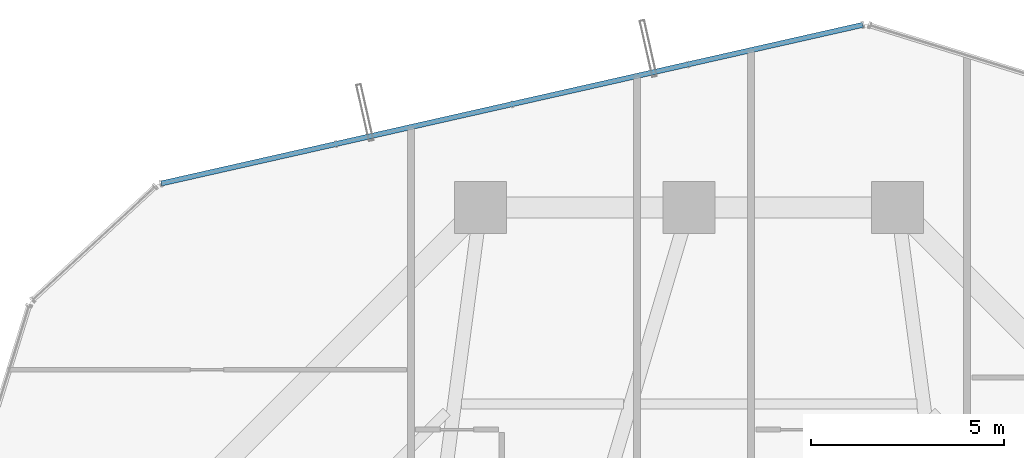
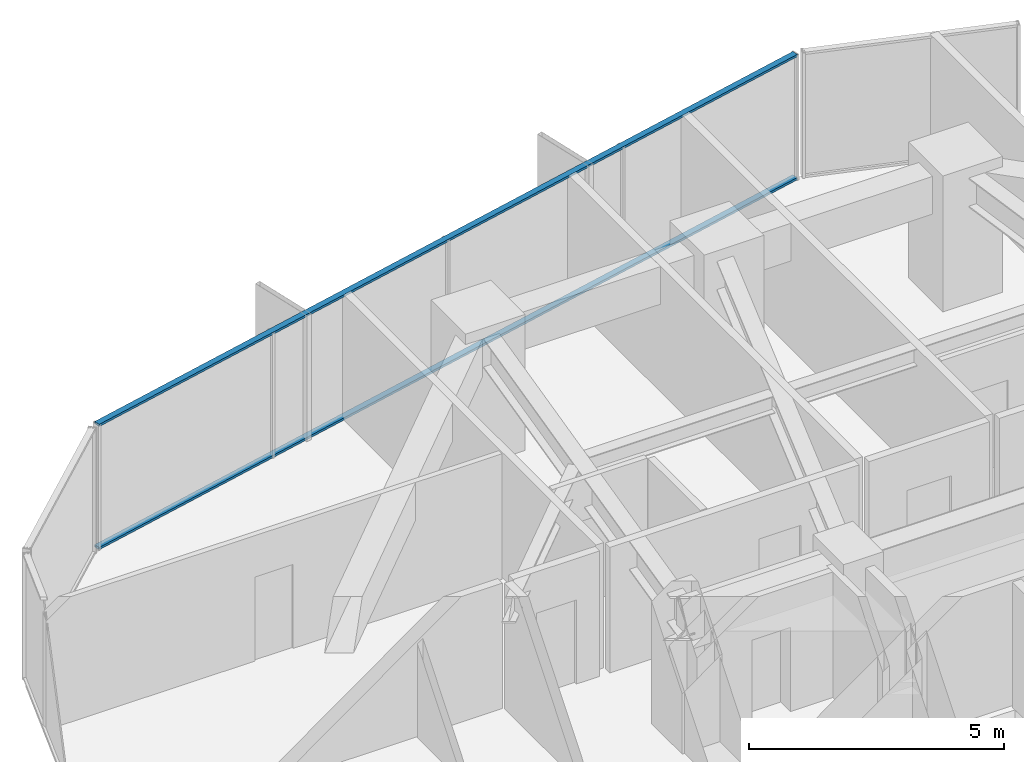
# One storey, part 27 of 39: 2 members, 1 element without a shape of its own.
"""IFC4 building model written with IfcOpenShell, lengths in metres."""

from ifc_helpers import new_model, si_unit, direction, frame, origin, origin_2d, place, context, subcontext, project, spatial, hollow_rectangle, extrude, source, transform, mapped, material, layer, layer_set, material_profile, profile_set, type_object, element, aggregate, save


model = new_model("IFC4")

# Units and contexts
model_context = context("Model", 3, precision=1e-05, world=origin(), true_north=direction((0.0, 1.0)))
body_context = subcontext(model_context, "Body", "Model", "MODEL_VIEW")
ifc_project = project(units=[si_unit("LENGTHUNIT", "METRE"), si_unit("AREAUNIT", "SQUARE_METRE"), si_unit("VOLUMEUNIT", "CUBIC_METRE"), si_unit("PLANEANGLEUNIT", "RADIAN"), si_unit("MASSUNIT", "GRAM", prefix="KILO")], contexts=[model_context])

# Site, building, storey
site_placement = place(None, origin())
site = spatial("IfcSite", under=ifc_project, at=site_placement, CompositionType="ELEMENT")
building_placement = place(site_placement, origin())
building = spatial("IfcBuilding", under=site, at=building_placement, Name="Veraguas Prism Commons", CompositionType="ELEMENT")
storey_placement = place(building_placement, frame((0.0, 0.0, 67.35009765625)))
storey = spatial("IfcBuildingStorey", under=building, at=storey_placement, Name="L18", CompositionType="ELEMENT", Elevation=67.35009765625)

# Curtain wall, members
ifc_material = material(Name="Anodised aluminium EN AW-6063 T6", Category="aluminium")
ifc_layer = layer(ifc_material, 0.169921875, Name="Unitised Flush Curtain Wall Zone 1", Category="aluminium")
ifc_layer_set = layer_set([ifc_layer], Name="Anodised aluminium EN AW-6063 T6")
curtain_wall_type = type_object("IfcCurtainWallType", Name="Unitised Flush Curtain Wall Zone 1", PredefinedType="NOTDEFINED", material=ifc_layer_set)
curtain_wall_placement = place(storey_placement, origin())
curtain_wall = element("IfcCurtainWall", 1, at=curtain_wall_placement, inside=storey, type_object=curtain_wall_type, Name="Tower Facade Curtain Wall L18-F2", PredefinedType="NOTDEFINED")
ifc_material_profile = material_profile(ifc_material, hollow_rectangle(XDim=0.054931640625, YDim=0.135009765625, WallThickness=0.0029296875, at=origin_2d()), Name="AL55X135X3")
ifc_profile_set = profile_set([ifc_material_profile], Name="Anodised aluminium EN AW-6063 T6")
member_type = type_object("IfcMemberType", Name="Curtain Wall Transom Standard AL 55x135x3", PredefinedType="USERDEFINED", material=ifc_profile_set)
shared_shape = source(origin(), body_context, "Body", "SweptSolid", [
    extrude(hollow_rectangle(XDim=0.054931640625, YDim=0.135009765625, WallThickness=0.0029296875, at=origin_2d()), origin(), (0.0, 0.0, 1.0), 18.623779296875),
])
member_1_placement = place(storey_placement, frame((28.4990234375, 46.326416015625, 0.02734375), z_axis=(-0.975379364334, -0.220533660993, 0.0), x_axis=(0.0, 0.0, 1.0)))
member_1 = element("IfcMember", 2, at=member_1_placement, type_object=member_type, Name="CW-Z1 Transom 1", ObjectType="TRANSOM", PredefinedType="USERDEFINED", context=body_context, shape_type="MappedRepresentation", body=[
    mapped(shared_shape, transform((0.0, 0.0, 0.0), scale=1.0)),
])
member_2_placement = place(storey_placement, frame((28.4990234375, 46.326416015625, 2.972412109375), z_axis=(-0.975379364334, -0.220533660993, 0.0), x_axis=(0.0, 0.0, 1.0)))
member_2 = element("IfcMember", 3, at=member_2_placement, type_object=member_type, Name="CW-Z1 Transom 2", ObjectType="TRANSOM", PredefinedType="USERDEFINED", context=body_context, shape_type="MappedRepresentation", body=[
    mapped(shared_shape, transform((0.0, 0.0, 0.0), scale=1.0)),
])
aggregate(curtain_wall, [member_1, member_2])

save(model, "model.ifc")
